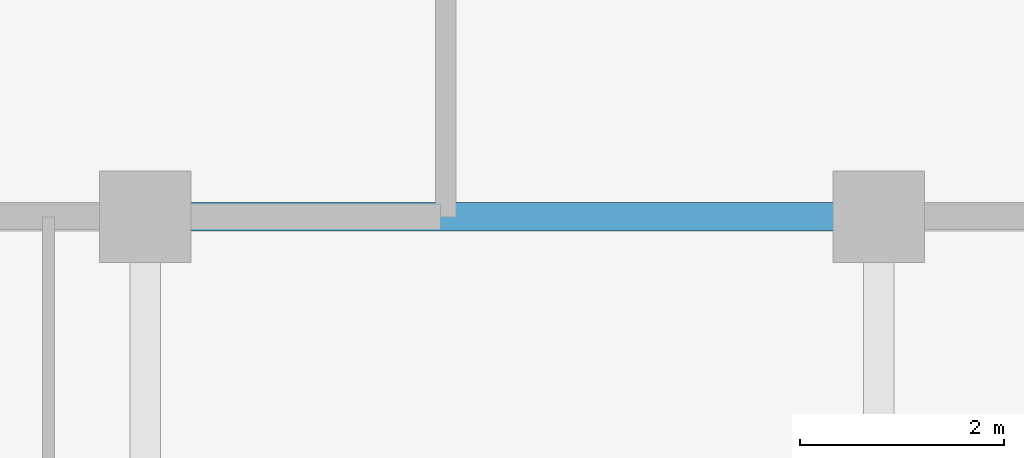
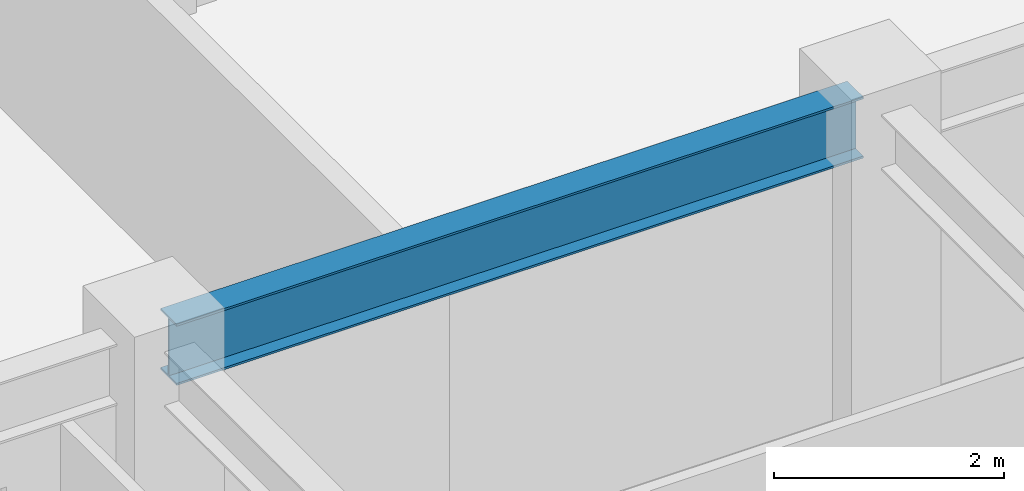
# One storey, part 6 of 22: 1 beam.
"""IFC4 building model written with IfcOpenShell, lengths in metres."""

from ifc_helpers import new_model, si_unit, direction, frame, origin, origin_2d, place, context, subcontext, project, spatial, i_section, extrude, source, transform, mapped, material, material_profile, profile_set, type_object, element, save


model = new_model("IFC4")

# Units and contexts
model_context = context("Model", 3, precision=1e-05, world=origin(), true_north=direction((0.0, 1.0)))
body_context = subcontext(model_context, "Body", "Model", "MODEL_VIEW")
ifc_project = project(units=[si_unit("LENGTHUNIT", "METRE"), si_unit("AREAUNIT", "SQUARE_METRE"), si_unit("VOLUMEUNIT", "CUBIC_METRE"), si_unit("PLANEANGLEUNIT", "RADIAN"), si_unit("MASSUNIT", "GRAM", prefix="KILO")], contexts=[model_context])

# Site, building, storey
site_placement = place(None, origin())
site = spatial("IfcSite", under=ifc_project, at=site_placement, CompositionType="ELEMENT")
building_placement = place(site_placement, origin())
building = spatial("IfcBuilding", under=site, at=building_placement, Name="Trelvane Seafront Commons", CompositionType="ELEMENT")
storey_placement = place(building_placement, frame((0.0, 0.0, 48.699951171875)))
storey = spatial("IfcBuildingStorey", under=building, at=storey_placement, Name="L12", CompositionType="ELEMENT", Elevation=48.699951171875)

# Beam
ifc_material = material(Name="Steel SM355 (S355)", Category="steel")
ifc_material_profile = material_profile(ifc_material, i_section(OverallWidth=0.280029296875, OverallDepth=0.64990234375, WebThickness=0.012939453125, FlangeThickness=0.02197265625, at=origin_2d()), Name="H-650x280x13x22")
ifc_profile_set = profile_set([ifc_material_profile], Name="Steel SM355 (S355)")
beam_type = type_object("IfcBeamType", Name="STR-BM-H650", PredefinedType="BEAM", material=ifc_profile_set)
shared_shape = source(origin(), body_context, "Body", "SweptSolid", [
    extrude(i_section(OverallWidth=0.280029296875, OverallDepth=0.64990234375, WebThickness=0.012939453125, FlangeThickness=0.02197265625, at=origin_2d()), origin(), (0.0, 0.0, 1.0), 6.89990234375),
])
beam_placement = place(storey_placement, frame((23.550048828125, 33.39990234375, 3.01513671875), z_axis=(1.0, 0.0, 0.0), x_axis=(0.0, 1.0, 0.0)))
element("IfcBeam", 1, at=beam_placement, inside=storey, type_object=beam_type, Name="L12 Primary Girder G-22", PredefinedType="BEAM", context=body_context, shape_type="MappedRepresentation", body=[
    mapped(shared_shape, transform((0.0, 0.0, 0.0), x_axis=(1.0, 0.0, 0.0), y_axis=(0.0, 1.0, 0.0), z_axis=(0.0, 0.0, 1.0), scale=1.0)),
])

save(model, "model.ifc")
